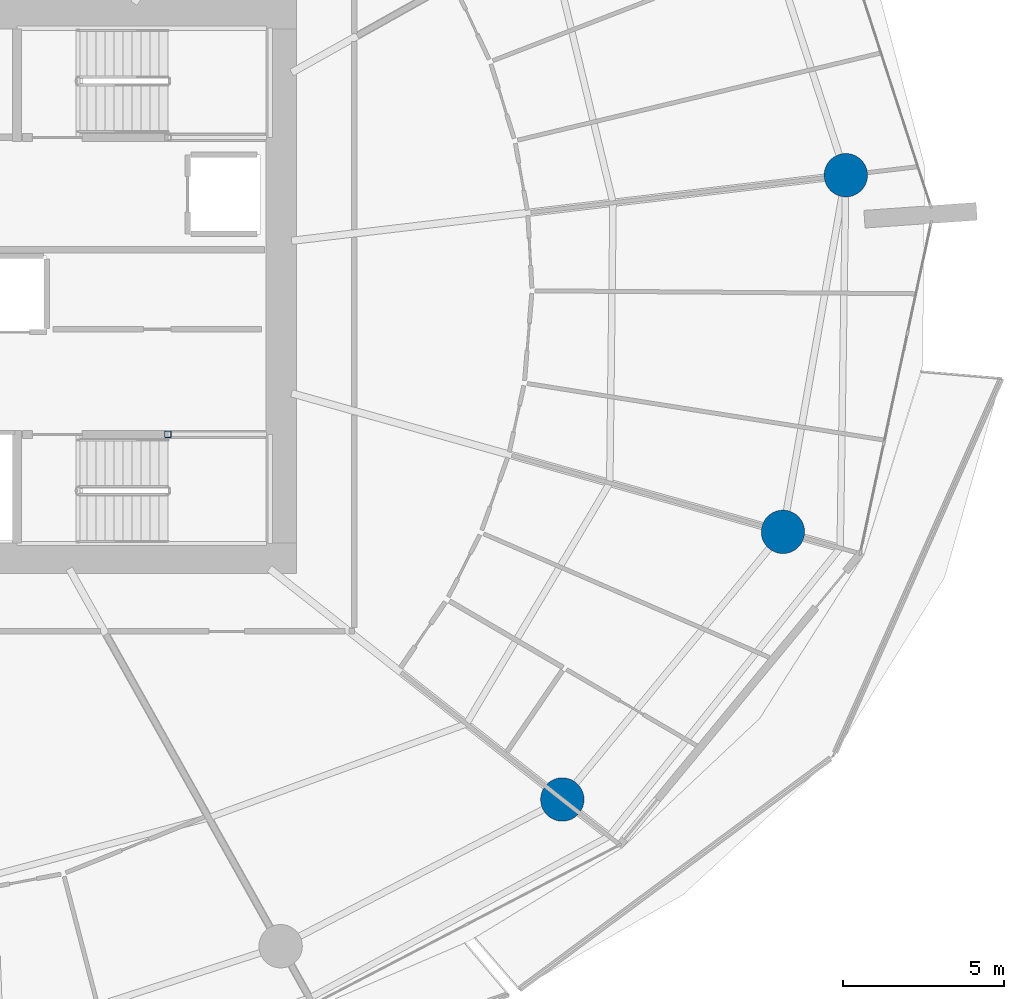
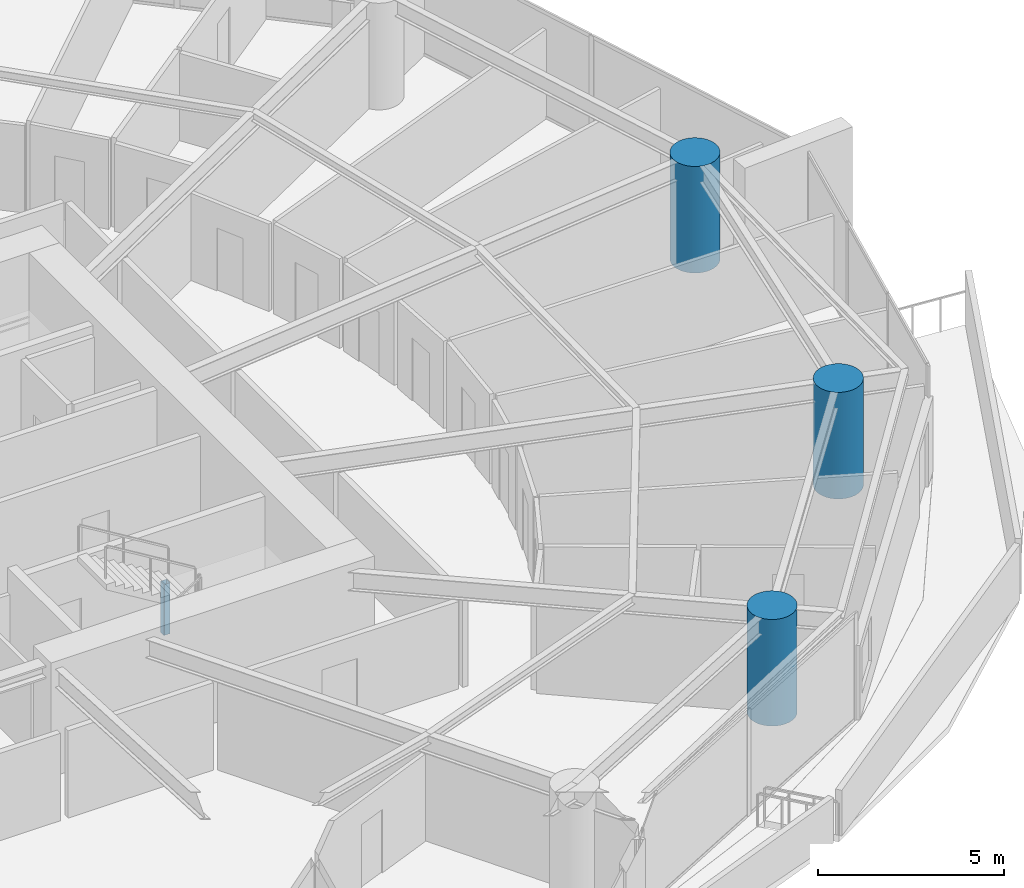
# One storey, part 3 of 31: 4 columns.
"""IFC4 building model written with IfcOpenShell, lengths in metres."""

from ifc_helpers import new_model, si_unit, direction, frame, origin, origin_2d, place, context, subcontext, project, spatial, hollow_rectangle, circle, extrude, material, material_profile, profile_set, type_object, element, save


model = new_model("IFC4")

# Units and contexts
model_context = context("Model", 3, precision=1e-05, world=origin(), true_north=direction((0.0, 1.0)))
body_context = subcontext(model_context, "Body", "Model", "MODEL_VIEW")
ifc_project = project(units=[si_unit("LENGTHUNIT", "METRE"), si_unit("AREAUNIT", "SQUARE_METRE"), si_unit("VOLUMEUNIT", "CUBIC_METRE"), si_unit("PLANEANGLEUNIT", "RADIAN"), si_unit("MASSUNIT", "GRAM", prefix="KILO")], contexts=[model_context])

# Site, building, storey
site_placement = place(None, origin())
site = spatial("IfcSite", under=ifc_project, at=site_placement, CompositionType="ELEMENT")
building_placement = place(site_placement, origin())
building = spatial("IfcBuilding", under=site, at=building_placement, Name="Kazma Halo Residences", CompositionType="ELEMENT")
storey_placement = place(building_placement, frame((0.0, 0.0, 60.14990234375)))
storey = spatial("IfcBuildingStorey", under=building, at=storey_placement, Name="L14", CompositionType="ELEMENT", Elevation=60.14990234375)

# Columns
ifc_material_1 = material(Name="Steel S355", Category="steel")
ifc_material_profile_1 = material_profile(ifc_material_1, hollow_rectangle(XDim=0.199951171875, YDim=0.199951171875, WallThickness=0.010009765625, InnerFilletRadius=0.010009765625, OuterFilletRadius=0.02001953125, at=origin_2d()), Name="SHS200x200x10")
ifc_profile_set_1 = profile_set([ifc_material_profile_1], Name="Steel S355")
column_type_1 = type_object("IfcColumnType", Name="COL-LP-SHS200", PredefinedType="COLUMN", material=ifc_profile_set_1)
column_placement = place(storey_placement, frame((56.0, 37.3798828125, 0.0), z_axis=(0.0, 0.0, 1.0), x_axis=(1.0, 0.0, 0.0)))
element("IfcColumn", 1, at=column_placement, inside=storey, type_object=column_type_1, Name="L14 ST-03 landing pilaster 1", PredefinedType="COLUMN", context=body_context, shape_type="SweptSolid", body=[
    extrude(hollow_rectangle(XDim=0.199951171875, YDim=0.199951171875, WallThickness=0.010009765625, InnerFilletRadius=0.010009765625, OuterFilletRadius=0.02001953125, at=origin_2d()), origin(), (0.0, 0.0, 1.0), 1.670166015625),
])
ifc_material_2 = material(Name="Concrete C80/95", Category="concrete")
ifc_material_profile_2 = material_profile(ifc_material_2, circle(Radius=0.675048828125, at=origin_2d()), Name="CIRC1350")
ifc_profile_set_2 = profile_set([ifc_material_profile_2], Name="Concrete C80/95")
column_type_2 = type_object("IfcColumnType", Name="COL-PERIM-1350", PredefinedType="COLUMN", material=ifc_profile_set_2)
for number, where, z_axis, x_axis, name in (
    (2, (68.27587890625, 26.015869140625, 0.0), (0.0, 0.0, 1.0), (1.0, 0.0, 0.0), "L14 perimeter ring column P14"),
    (3, (75.140869140625, 34.345458984375, 0.0), (0.0, 0.0, 1.0), (1.0, 0.0, 0.0), "L14 perimeter ring column P15"),
    (4, (77.097900390625, 45.444091796875, 0.0), (0.0, 0.0, 1.0), (1.0, 0.0, 0.0), "L14 perimeter ring column P16"),
):
    element("IfcColumn", number, at=place(storey_placement, frame(where, z_axis=z_axis, x_axis=x_axis)), inside=storey, type_object=column_type_2, Name=name, PredefinedType="COLUMN", context=body_context, shape_type="SweptSolid", body=[
        extrude(circle(Radius=0.675048828125, at=origin_2d()), origin(), (0.0, 0.0, 1.0), 3.5),
    ])

save(model, "model.ifc")
